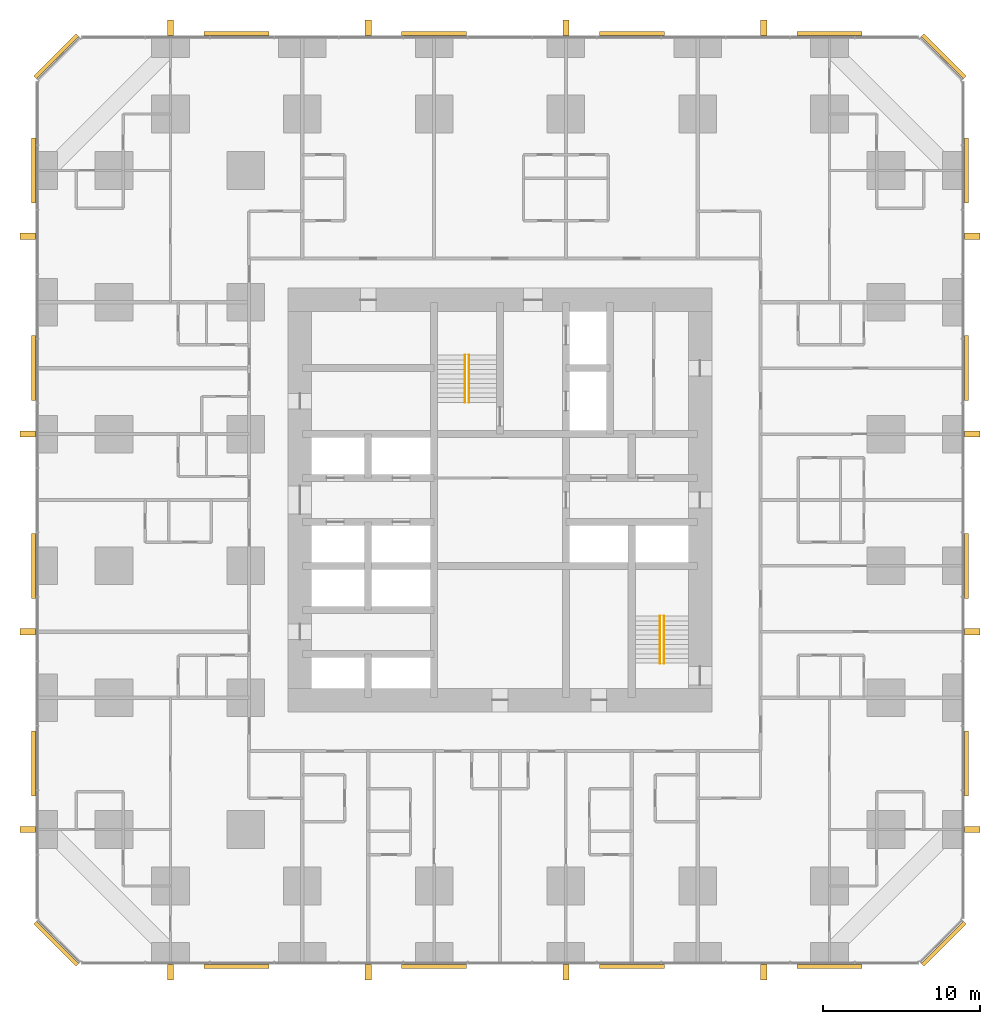
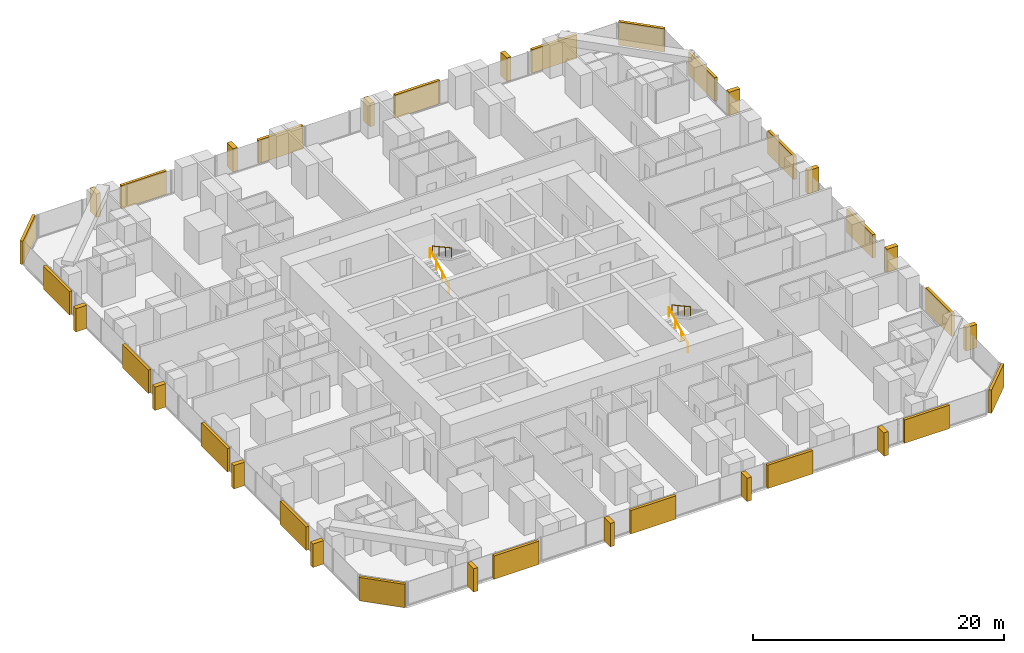
# One storey, part 16 of 16: 20 coverings, 16 shading devices, 4 railings.
"""IFC4 building model written with IfcOpenShell, lengths in metres."""

from ifc_helpers import new_model, si_unit, direction, frame, origin, origin_2d, place, context, subcontext, project, spatial, rectangle, circle, extrude, material, layer, layer_set, type_object, element, save


model = new_model("IFC4")

# Units and contexts
model_context = context("Model", 3, precision=1e-05, world=origin(), true_north=direction((0.0, 1.0)))
body_context = subcontext(model_context, "Body", "Model", "MODEL_VIEW")
ifc_project = project(units=[si_unit("LENGTHUNIT", "METRE"), si_unit("AREAUNIT", "SQUARE_METRE"), si_unit("VOLUMEUNIT", "CUBIC_METRE"), si_unit("PLANEANGLEUNIT", "RADIAN"), si_unit("MASSUNIT", "GRAM", prefix="KILO")], contexts=[model_context])

# Site, building, storey
site_placement = place(None, origin())
site = spatial("IfcSite", under=ifc_project, at=site_placement, CompositionType="ELEMENT")
building_placement = place(site_placement, origin())
building = spatial("IfcBuilding", under=site, at=building_placement, Name="Dunama Terrace Hotel", CompositionType="ELEMENT")
storey_placement = place(building_placement, frame((0.0, 0.0, 84.60009765625)))
storey = spatial("IfcBuildingStorey", under=building, at=storey_placement, Name="L21", CompositionType="ELEMENT", Elevation=84.60009765625)

# Railings
ifc_material_1 = material(Name="Stainless steel handrail", Category="steel")
railing_type = type_object("IfcRailingType", Name="Stair handrail 900", PredefinedType="HANDRAIL", material=ifc_material_1)
railing_1_placement = place(storey_placement, frame((27.175048828125, 35.625, 0.16357421875)))
element("IfcRailing", 1, at=railing_1_placement, inside=storey, type_object=railing_type, Name="Handrail ST1 L21", PredefinedType="HANDRAIL", context=body_context, shape_type="SweptSolid", body=[
    extrude(circle(Radius=0.02392578125, at=origin_2d()), frame((0.0, 0.0, 0.8759765625), z_axis=(0.0, 0.877911954615, 0.47882209634), x_axis=(-1.0, 0.0, 0.0)), (0.0, 0.0, 1.0), 3.417236328125),
    extrude(circle(Radius=0.02099609375, at=origin_2d()), origin(), (0.0, 0.0, 1.0), 0.851806640625),
    extrude(circle(Radius=0.02099609375, at=origin_2d()), frame((0.0, 1.0, 0.54541015625)), (0.0, 0.0, 1.0), 0.851806640625),
    extrude(circle(Radius=0.02099609375, at=origin_2d()), frame((0.0, 2.0, 1.0908203125)), (0.0, 0.0, 1.0), 0.851806640625),
    extrude(circle(Radius=0.02099609375, at=origin_2d()), frame((0.0, 3.0, 1.63623046875)), (0.0, 0.0, 1.0), 0.851806640625),
])
railing_2_placement = place(storey_placement, frame((27.425048828125, 38.625, 1.963623046875)))
element("IfcRailing", 2, at=railing_2_placement, inside=storey, type_object=railing_type, Name="Handrail ST1 L21", PredefinedType="HANDRAIL", context=body_context, shape_type="SweptSolid", body=[
    extrude(circle(Radius=0.02392578125, at=origin_2d()), frame((0.0, 0.0, 0.8759765625), z_axis=(0.0, -0.877911954615, 0.47882209634), x_axis=(1.0, 0.0, 0.0)), (0.0, 0.0, 1.0), 3.417236328125),
    extrude(circle(Radius=0.02099609375, at=origin_2d()), origin(), (0.0, 0.0, 1.0), 0.851806640625),
    extrude(circle(Radius=0.02099609375, at=origin_2d()), frame((0.0, -1.0, 0.54541015625)), (0.0, 0.0, 1.0), 0.851806640625),
    extrude(circle(Radius=0.02099609375, at=origin_2d()), frame((0.0, -2.0, 1.0908203125)), (0.0, 0.0, 1.0), 0.851806640625),
    extrude(circle(Radius=0.02099609375, at=origin_2d()), frame((0.0, -3.0, 1.63623046875)), (0.0, 0.0, 1.0), 0.851806640625),
])
railing_3_placement = place(storey_placement, frame((39.60009765625, 19.0, 0.16357421875)))
element("IfcRailing", 3, at=railing_3_placement, inside=storey, type_object=railing_type, Name="Handrail ST2 L21", PredefinedType="HANDRAIL", context=body_context, shape_type="SweptSolid", body=[
    extrude(circle(Radius=0.02392578125, at=origin_2d()), frame((0.0, 0.0, 0.8759765625), z_axis=(0.0, 0.877911954615, 0.47882209634), x_axis=(-1.0, 0.0, 0.0)), (0.0, 0.0, 1.0), 3.417236328125),
    extrude(circle(Radius=0.02099609375, at=origin_2d()), origin(), (0.0, 0.0, 1.0), 0.851806640625),
    extrude(circle(Radius=0.02099609375, at=origin_2d()), frame((0.0, 1.0, 0.54541015625)), (0.0, 0.0, 1.0), 0.851806640625),
    extrude(circle(Radius=0.02099609375, at=origin_2d()), frame((0.0, 2.0, 1.0908203125)), (0.0, 0.0, 1.0), 0.851806640625),
    extrude(circle(Radius=0.02099609375, at=origin_2d()), frame((0.0, 3.0, 1.63623046875)), (0.0, 0.0, 1.0), 0.851806640625),
])
railing_4_placement = place(storey_placement, frame((39.85009765625, 22.0, 1.963623046875)))
element("IfcRailing", 4, at=railing_4_placement, inside=storey, type_object=railing_type, Name="Handrail ST2 L21", PredefinedType="HANDRAIL", context=body_context, shape_type="SweptSolid", body=[
    extrude(circle(Radius=0.02392578125, at=origin_2d()), frame((0.0, 0.0, 0.8759765625), z_axis=(0.0, -0.877911954615, 0.47882209634), x_axis=(1.0, 0.0, 0.0)), (0.0, 0.0, 1.0), 3.417236328125),
    extrude(circle(Radius=0.02099609375, at=origin_2d()), origin(), (0.0, 0.0, 1.0), 0.851806640625),
    extrude(circle(Radius=0.02099609375, at=origin_2d()), frame((0.0, -1.0, 0.54541015625)), (0.0, 0.0, 1.0), 0.851806640625),
    extrude(circle(Radius=0.02099609375, at=origin_2d()), frame((0.0, -2.0, 1.0908203125)), (0.0, 0.0, 1.0), 0.851806640625),
    extrude(circle(Radius=0.02099609375, at=origin_2d()), frame((0.0, -3.0, 1.63623046875)), (0.0, 0.0, 1.0), 0.851806640625),
])

# Coverings
ifc_material_2 = material(Name="Warm reconstituted stone panel", Category="masonry")
ifc_layer_1 = layer(ifc_material_2, 0.25)
ifc_layer_set_1 = layer_set([ifc_layer_1], Name="Stone diagonal panel")
covering_type = type_object("IfcCoveringType", Name="Stone diagonal panel", PredefinedType="CLADDING", material=ifc_layer_set_1)
for number, where, z_axis, x_axis, name in (
    (5, (12.60009765625, -0.322998046875, 0.001953125), (0.0, 0.0, 1.0), (1.0, 0.0, 0.0), "Stone diagonal panel L21"),
    (6, (25.199951171875, -0.322998046875, 0.001953125), (0.0, 0.0, 1.0), (1.0, 0.0, 0.0), "Stone diagonal panel L21"),
    (7, (37.800048828125, -0.322998046875, 0.001953125), (0.0, 0.0, 1.0), (1.0, 0.0, 0.0), "Stone diagonal panel L21"),
    (8, (50.39990234375, -0.322998046875, 0.001953125), (0.0, 0.0, 1.0), (1.0, 0.0, 0.0), "Stone diagonal panel L21"),
):
    element("IfcCovering", number, at=place(storey_placement, frame(where, z_axis=z_axis, x_axis=x_axis)), inside=storey, type_object=covering_type, Name=name, PredefinedType="CLADDING", context=body_context, shape_type="SweptSolid", body=[
        extrude(rectangle(XDim=4.14990234375, YDim=0.25, at=origin_2d()), origin(), (0.0, 0.0, 1.0), 2.27490234375),
    ])
covering_1_placement = place(storey_placement, frame((57.678955078125, 1.12109375, 0.001953125), z_axis=(0.0, 0.0, 1.0), x_axis=(0.707106781187, 0.707106781187, 0.0)))
element("IfcCovering", 9, at=covering_1_placement, inside=storey, type_object=covering_type, Name="Stone diagonal panel L21", PredefinedType="CLADDING", context=body_context, shape_type="SweptSolid", body=[
    extrude(rectangle(XDim=3.808349609375, YDim=0.25, at=origin_2d()), origin(), (0.0, 0.0, 1.0), 2.27490234375),
])
for number, where, z_axis, x_axis, name in (
    (10, (59.123046875, 12.60009765625, 0.001953125), (0.0, 0.0, 1.0), (0.0, 1.0, 0.0), "Stone diagonal panel L21"),
    (11, (59.123046875, 25.199951171875, 0.001953125), (0.0, 0.0, 1.0), (0.0, 1.0, 0.0), "Stone diagonal panel L21"),
    (12, (59.123046875, 37.800048828125, 0.001953125), (0.0, 0.0, 1.0), (0.0, 1.0, 0.0), "Stone diagonal panel L21"),
    (13, (59.123046875, 50.39990234375, 0.001953125), (0.0, 0.0, 1.0), (0.0, 1.0, 0.0), "Stone diagonal panel L21"),
):
    element("IfcCovering", number, at=place(storey_placement, frame(where, z_axis=z_axis, x_axis=x_axis)), inside=storey, type_object=covering_type, Name=name, PredefinedType="CLADDING", context=body_context, shape_type="SweptSolid", body=[
        extrude(rectangle(XDim=4.14990234375, YDim=0.25, at=origin_2d()), origin(), (0.0, 0.0, 1.0), 2.27490234375),
    ])
covering_2_placement = place(storey_placement, frame((57.678955078125, 57.678955078125, 0.001953125), z_axis=(0.0, 0.0, 1.0), x_axis=(-0.707106781187, 0.707106781187, 0.0)))
element("IfcCovering", 14, at=covering_2_placement, inside=storey, type_object=covering_type, Name="Stone diagonal panel L21", PredefinedType="CLADDING", context=body_context, shape_type="SweptSolid", body=[
    extrude(rectangle(XDim=3.808349609375, YDim=0.25, at=origin_2d()), origin(), (0.0, 0.0, 1.0), 2.27490234375),
])
for number, where, z_axis, x_axis, name in (
    (15, (50.39990234375, 59.123046875, 0.001953125), (0.0, 0.0, 1.0), (-1.0, 0.0, 0.0), "Stone diagonal panel L21"),
    (16, (37.800048828125, 59.123046875, 0.001953125), (0.0, 0.0, 1.0), (-1.0, 0.0, 0.0), "Stone diagonal panel L21"),
    (17, (25.199951171875, 59.123046875, 0.001953125), (0.0, 0.0, 1.0), (-1.0, 0.0, 0.0), "Stone diagonal panel L21"),
    (18, (12.60009765625, 59.123046875, 0.001953125), (0.0, 0.0, 1.0), (-1.0, 0.0, 0.0), "Stone diagonal panel L21"),
):
    element("IfcCovering", number, at=place(storey_placement, frame(where, z_axis=z_axis, x_axis=x_axis)), inside=storey, type_object=covering_type, Name=name, PredefinedType="CLADDING", context=body_context, shape_type="SweptSolid", body=[
        extrude(rectangle(XDim=4.14990234375, YDim=0.25, at=origin_2d()), origin(), (0.0, 0.0, 1.0), 2.27490234375),
    ])
covering_3_placement = place(storey_placement, frame((1.12109375, 57.678955078125, 0.001953125), z_axis=(0.0, 0.0, 1.0), x_axis=(-0.707106781187, -0.707106781187, 0.0)))
element("IfcCovering", 19, at=covering_3_placement, inside=storey, type_object=covering_type, Name="Stone diagonal panel L21", PredefinedType="CLADDING", context=body_context, shape_type="SweptSolid", body=[
    extrude(rectangle(XDim=3.808349609375, YDim=0.25, at=origin_2d()), origin(), (0.0, 0.0, 1.0), 2.27490234375),
])
for number, where, z_axis, x_axis, name in (
    (20, (-0.322998046875, 50.39990234375, 0.001953125), (0.0, 0.0, 1.0), (0.0, -1.0, 0.0), "Stone diagonal panel L21"),
    (21, (-0.322998046875, 37.800048828125, 0.001953125), (0.0, 0.0, 1.0), (0.0, -1.0, 0.0), "Stone diagonal panel L21"),
    (22, (-0.322998046875, 25.199951171875, 0.001953125), (0.0, 0.0, 1.0), (0.0, -1.0, 0.0), "Stone diagonal panel L21"),
    (23, (-0.322998046875, 12.60009765625, 0.001953125), (0.0, 0.0, 1.0), (0.0, -1.0, 0.0), "Stone diagonal panel L21"),
):
    element("IfcCovering", number, at=place(storey_placement, frame(where, z_axis=z_axis, x_axis=x_axis)), inside=storey, type_object=covering_type, Name=name, PredefinedType="CLADDING", context=body_context, shape_type="SweptSolid", body=[
        extrude(rectangle(XDim=4.14990234375, YDim=0.25, at=origin_2d()), origin(), (0.0, 0.0, 1.0), 2.27490234375),
    ])
covering_4_placement = place(storey_placement, frame((1.12109375, 1.12109375, 0.001953125), z_axis=(0.0, 0.0, 1.0), x_axis=(0.707106781187, -0.707106781187, 0.0)))
element("IfcCovering", 24, at=covering_4_placement, inside=storey, type_object=covering_type, Name="Stone diagonal panel L21", PredefinedType="CLADDING", context=body_context, shape_type="SweptSolid", body=[
    extrude(rectangle(XDim=3.808349609375, YDim=0.25, at=origin_2d()), origin(), (0.0, 0.0, 1.0), 2.27490234375),
])

# Shading devices
ifc_material_3 = material(Name="Warm reconstituted stone fin", Category="masonry")
ifc_layer_2 = layer(ifc_material_3, 0.39990234375)
ifc_layer_set_2 = layer_set([ifc_layer_2], Name="Warm stone fin 400x1000")
shading_device_type = type_object("IfcShadingDeviceType", Name="Warm stone fin 400x1000", PredefinedType="USERDEFINED", material=ifc_layer_set_2)
for number, where, z_axis, x_axis, name in (
    (25, (8.39990234375, -0.68798828125, 0.0), (0.0, 0.0, 1.0), (1.0, 0.0, 0.0), "Stone fin"),
    (26, (21.0, -0.68798828125, 0.0), (0.0, 0.0, 1.0), (1.0, 0.0, 0.0), "Stone fin"),
    (27, (33.60009765625, -0.68798828125, 0.0), (0.0, 0.0, 1.0), (1.0, 0.0, 0.0), "Stone fin"),
    (28, (46.199951171875, -0.68798828125, 0.0), (0.0, 0.0, 1.0), (1.0, 0.0, 0.0), "Stone fin"),
    (29, (59.488037109375, 8.39990234375, 0.0), (0.0, 0.0, 1.0), (0.0, 1.0, 0.0), "Stone fin"),
    (30, (59.488037109375, 21.0, 0.0), (0.0, 0.0, 1.0), (0.0, 1.0, 0.0), "Stone fin"),
    (31, (59.488037109375, 33.60009765625, 0.0), (0.0, 0.0, 1.0), (0.0, 1.0, 0.0), "Stone fin"),
    (32, (59.488037109375, 46.199951171875, 0.0), (0.0, 0.0, 1.0), (0.0, 1.0, 0.0), "Stone fin"),
    (33, (46.199951171875, 59.488037109375, 0.0), (0.0, 0.0, 1.0), (-1.0, 0.0, 0.0), "Stone fin"),
    (34, (33.60009765625, 59.488037109375, 0.0), (0.0, 0.0, 1.0), (-1.0, 0.0, 0.0), "Stone fin"),
    (35, (21.0, 59.488037109375, 0.0), (0.0, 0.0, 1.0), (-1.0, 0.0, 0.0), "Stone fin"),
    (36, (8.39990234375, 59.488037109375, 0.0), (0.0, 0.0, 1.0), (-1.0, 0.0, 0.0), "Stone fin"),
    (37, (-0.68798828125, 46.199951171875, 0.0), (0.0, 0.0, 1.0), (0.0, -1.0, 0.0), "Stone fin"),
    (38, (-0.68798828125, 33.60009765625, 0.0), (0.0, 0.0, 1.0), (0.0, -1.0, 0.0), "Stone fin"),
    (39, (-0.68798828125, 21.0, 0.0), (0.0, 0.0, 1.0), (0.0, -1.0, 0.0), "Stone fin"),
    (40, (-0.68798828125, 8.39990234375, 0.0), (0.0, 0.0, 1.0), (0.0, -1.0, 0.0), "Stone fin"),
):
    element("IfcShadingDevice", number, at=place(storey_placement, frame(where, z_axis=z_axis, x_axis=x_axis)), inside=storey, type_object=shading_device_type, Name=name, ObjectType="FIN", PredefinedType="USERDEFINED", context=body_context, shape_type="SweptSolid", body=[
        extrude(rectangle(XDim=0.39990234375, YDim=1.0, at=origin_2d()), origin(), (0.0, 0.0, 1.0), 2.279052734375),
    ])

save(model, "model.ifc")
